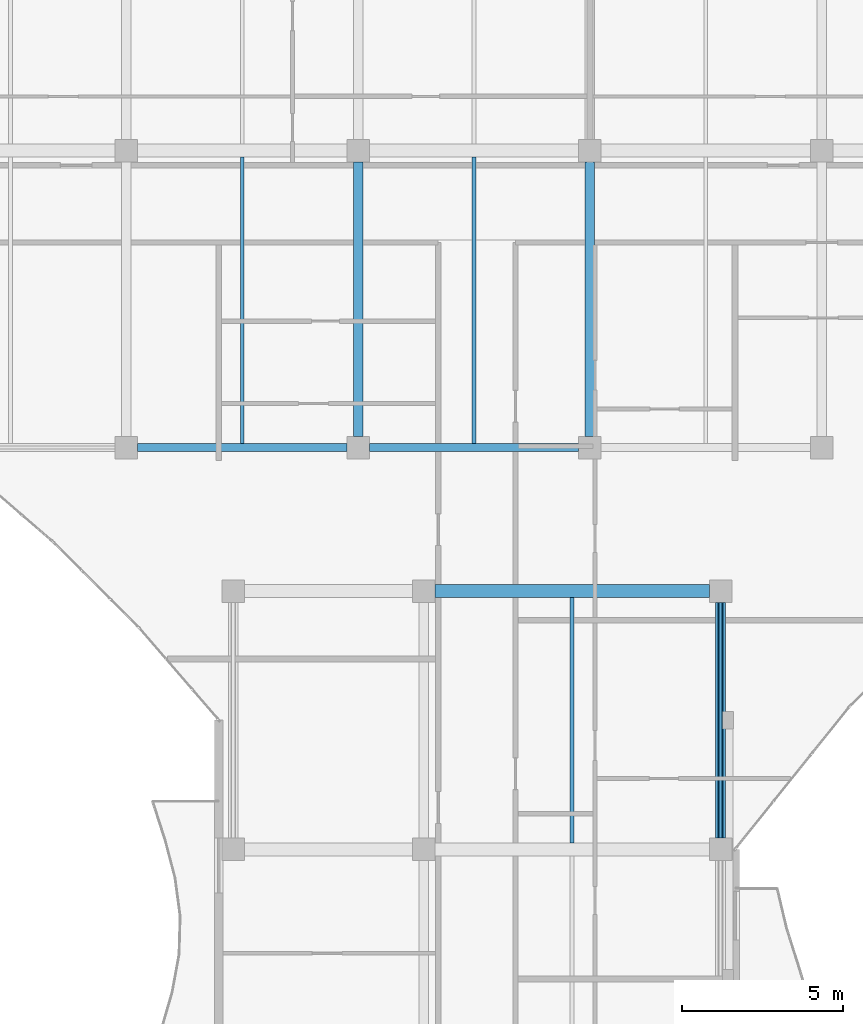
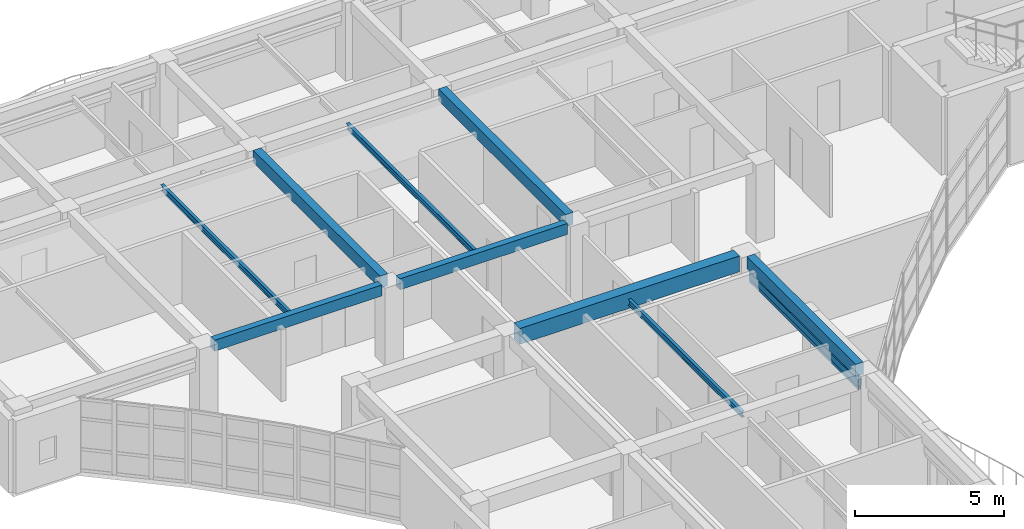
# One storey, part 22 of 89: 9 beams, 2 members.
"""IFC4 building model written with IfcOpenShell, lengths in metres."""

from ifc_helpers import new_model, si_unit, direction, frame, origin, origin_2d, place, context, subcontext, project, spatial, rectangle, hollow_rectangle, i_section, extrude, material, material_profile, profile_set, type_object, element, save


model = new_model("IFC4")

# Units and contexts
model_context = context("Model", 3, precision=1e-05, world=origin(), true_north=direction((0.0, 1.0)))
body_context = subcontext(model_context, "Body", "Model", "MODEL_VIEW")
ifc_project = project(units=[si_unit("LENGTHUNIT", "METRE"), si_unit("AREAUNIT", "SQUARE_METRE"), si_unit("VOLUMEUNIT", "CUBIC_METRE"), si_unit("PLANEANGLEUNIT", "RADIAN"), si_unit("MASSUNIT", "GRAM", prefix="KILO")], contexts=[model_context])

# Site, building, storey
site_placement = place(None, origin())
site = spatial("IfcSite", under=ifc_project, at=site_placement, CompositionType="ELEMENT")
building_placement = place(site_placement, origin())
building = spatial("IfcBuilding", under=site, at=building_placement, Name="Keldmere Railside Commons", CompositionType="ELEMENT")
storey_placement = place(building_placement, frame((0.0, 0.0, 7.360107421875)))
storey = spatial("IfcBuildingStorey", under=building, at=storey_placement, Name="L02", CompositionType="ELEMENT", Elevation=7.360107421875)

# Member
ifc_material_1 = material(Name="Steel F-36 (S355)", Category="steel")
ifc_material_profile_1 = material_profile(ifc_material_1, hollow_rectangle(XDim=0.14990234375, YDim=0.25, WallThickness=0.010009765625, at=origin_2d()), Name="RHS-250x150x10")
ifc_profile_set_1 = profile_set([ifc_material_profile_1], Name="Steel F-36 (S355)")
member_type_1 = type_object("IfcMemberType", Name="Balcony Continuous Planted Trough RHS250x150", PredefinedType="CHORD", material=ifc_profile_set_1)
member_1_placement = place(storey_placement, frame((119.550048828125, 88.35009765625, 2.414794921875), z_axis=(0.0, 1.0, 0.0), x_axis=(-1.0, 0.0, 0.0)))
element("IfcMember", 1, at=member_1_placement, inside=storey, type_object=member_type_1, Name="PLT-1 MEM-BPLT-0297", PredefinedType="CHORD", context=body_context, shape_type="SweptSolid", body=[
    extrude(hollow_rectangle(XDim=0.14990234375, YDim=0.25, WallThickness=0.010009765625, at=origin_2d()), origin(), (0.0, 0.0, 1.0), 7.2998046875),
])

# Beams
ifc_material_profile_2 = material_profile(ifc_material_1, i_section(OverallWidth=0.1201171875, OverallDepth=0.239990234375, WebThickness=0.006103515625, FlangeThickness=0.009765625, at=origin_2d()), Name="IPE-240")
ifc_profile_set_2 = profile_set([ifc_material_profile_2], Name="Steel F-36 (S355)")
beam_type_1 = type_object("IfcBeamType", Name="Nursery & Mezzanine Steel Joist IPE240", PredefinedType="JOIST", material=ifc_profile_set_2)
beam_1_placement = place(storey_placement, frame((114.949951171875, 88.199951171875, 2.809814453125), z_axis=(0.0, 1.0, 0.0), x_axis=(-1.0, 0.0, 0.0)))
element("IfcBeam", 2, at=beam_1_placement, inside=storey, type_object=beam_type_1, Name="JST-2 BM-L02-1295", PredefinedType="JOIST", context=body_context, shape_type="SweptSolid", body=[
    extrude(i_section(OverallWidth=0.1201171875, OverallDepth=0.239990234375, WebThickness=0.006103515625, FlangeThickness=0.009765625, at=origin_2d()), origin(), (0.0, 0.0, 1.0), 7.60009765625),
])
for number, where, z_axis, x_axis, name in (
    (3, (104.72509765625, 100.574951171875, 2.809814453125), (0.0, 1.0, 0.0), (-1.0, 0.0, 0.0), "JST-2 BM-L02-1304"),
    (4, (111.908935546875, 100.574951171875, 2.809814453125), (0.0, 1.0, 0.0), (-1.0, 0.0, 0.0), "JST-2 BM-L02-1305"),
):
    element("IfcBeam", number, at=place(storey_placement, frame(where, z_axis=z_axis, x_axis=x_axis)), inside=storey, type_object=beam_type_1, Name=name, PredefinedType="JOIST", context=body_context, shape_type="SweptSolid", body=[
        extrude(i_section(OverallWidth=0.1201171875, OverallDepth=0.239990234375, WebThickness=0.006103515625, FlangeThickness=0.009765625, at=origin_2d()), origin(), (0.0, 0.0, 1.0), 8.875),
    ])
ifc_material_2 = material(Name="Architectural Precast Concrete H-35 (C35/45)", Category="concrete")
ifc_material_profile_3 = material_profile(ifc_material_2, rectangle(XDim=0.25, YDim=0.449951171875, at=origin_2d()), Name="RC-250x450")
ifc_profile_set_3 = profile_set([ifc_material_profile_3], Name="Architectural Precast Concrete H-35 (C35/45)")
beam_type_2 = type_object("IfcBeamType", Name="Perimeter Precast Spandrel Beam 250x450", PredefinedType="SPANDREL", material=ifc_profile_set_3)
beam_2_placement = place(storey_placement, frame((101.48291015625, 100.449951171875, 2.974853515625), z_axis=(1.0, 0.0, 0.0), x_axis=(0.0, 1.0, 0.0)))
element("IfcBeam", 5, at=beam_2_placement, inside=storey, type_object=beam_type_2, Name="SPB-1 BM-L02-1113", PredefinedType="SPANDREL", context=body_context, shape_type="SweptSolid", body=[
    extrude(rectangle(XDim=0.25, YDim=0.449951171875, at=origin_2d()), origin(), (0.0, 0.0, 1.0), 6.484130859375),
])
beam_3_placement = place(storey_placement, frame((108.6669921875, 100.449951171875, 2.974853515625), z_axis=(1.0, 0.0, 0.0), x_axis=(0.0, 1.0, 0.0)))
element("IfcBeam", 6, at=beam_3_placement, inside=storey, type_object=beam_type_2, Name="SPB-1 BM-L02-1114", PredefinedType="SPANDREL", context=body_context, shape_type="SweptSolid", body=[
    extrude(rectangle(XDim=0.25, YDim=0.449951171875, at=origin_2d()), origin(), (0.0, 0.0, 1.0), 6.48291015625),
])
ifc_material_3 = material(Name="Concrete H-30 (C30/37)", Category="concrete")
ifc_material_profile_4 = material_profile(ifc_material_3, rectangle(XDim=0.39990234375, YDim=0.64990234375, at=origin_2d()), Name="RC-400x650")
ifc_profile_set_4 = profile_set([ifc_material_profile_4], Name="Concrete H-30 (C30/37)")
beam_type_3 = type_object("IfcBeamType", Name="Residential Spine RC Girder 400x650", PredefinedType="BEAM", material=ifc_profile_set_4)
beam_4_placement = place(storey_placement, frame((110.699951171875, 96.0, 2.875), z_axis=(1.0, 0.0, 0.0), x_axis=(0.0, 1.0, 0.0)))
element("IfcBeam", 7, at=beam_4_placement, inside=storey, type_object=beam_type_3, Name="BG-3 BM-L02-1105", PredefinedType="BEAM", context=body_context, shape_type="SweptSolid", body=[
    extrude(rectangle(XDim=0.39990234375, YDim=0.64990234375, at=origin_2d()), origin(), (0.0, 0.0, 1.0), 8.5),
])
ifc_material_profile_5 = material_profile(ifc_material_3, rectangle(XDim=0.300048828125, YDim=0.5, at=origin_2d()), Name="RC-300x500")
ifc_profile_set_5 = profile_set([ifc_material_profile_5], Name="Concrete H-30 (C30/37)")
beam_type_4 = type_object("IfcBeamType", Name="Secondary Frame RC Beam 300x500", PredefinedType="BEAM", material=ifc_profile_set_5)
for number, where, z_axis, x_axis, name in (
    (8, (108.31689453125, 100.800048828125, 2.949951171875), (0.0, 1.0, 0.0), (-1.0, 0.0, 0.0), "BG-5 BM-L02-1206"),
    (9, (115.5, 100.800048828125, 2.949951171875), (0.0, 1.0, 0.0), (-1.0, 0.0, 0.0), "BG-5 BM-L02-1213"),
):
    element("IfcBeam", number, at=place(storey_placement, frame(where, z_axis=z_axis, x_axis=x_axis)), inside=storey, type_object=beam_type_4, Name=name, PredefinedType="BEAM", context=body_context, shape_type="SweptSolid", body=[
        extrude(rectangle(XDim=0.300048828125, YDim=0.5, at=origin_2d()), origin(), (0.0, 0.0, 1.0), 8.5),
    ])
beam_5_placement = place(storey_placement, frame((119.550048828125, 88.35009765625, 2.949951171875), z_axis=(0.0, 1.0, 0.0), x_axis=(-1.0, 0.0, 0.0)))
element("IfcBeam", 10, at=beam_5_placement, inside=storey, type_object=beam_type_4, Name="BG-5 BM-L02-1219", PredefinedType="BEAM", context=body_context, shape_type="SweptSolid", body=[
    extrude(rectangle(XDim=0.300048828125, YDim=0.5, at=origin_2d()), origin(), (0.0, 0.0, 1.0), 7.2998046875),
])

# Member
ifc_material_profile_6 = material_profile(ifc_material_1, hollow_rectangle(XDim=0.10009765625, YDim=0.159912109375, WallThickness=0.008056640625, at=origin_2d()), Name="RHS-160x100x8")
ifc_profile_set_6 = profile_set([ifc_material_profile_6], Name="Steel F-36 (S355)")
member_type_2 = type_object("IfcMemberType", Name="Solar Brise-Soleil Louvre Fin RHS160x100", PredefinedType="STRUT", material=ifc_profile_set_6)
member_2_placement = place(storey_placement, frame((119.550048828125, 88.35009765625, 2.199951171875), z_axis=(0.0, 1.0, 0.0), x_axis=(-1.0, 0.0, 0.0)))
element("IfcMember", 11, at=member_2_placement, inside=storey, type_object=member_type_2, Name="BSF-1 MEM-BSF-0298", PredefinedType="STRUT", context=body_context, shape_type="SweptSolid", body=[
    extrude(hollow_rectangle(XDim=0.10009765625, YDim=0.159912109375, WallThickness=0.008056640625, at=origin_2d()), origin(), (0.0, 0.0, 1.0), 7.2998046875),
])

save(model, "model.ifc")
